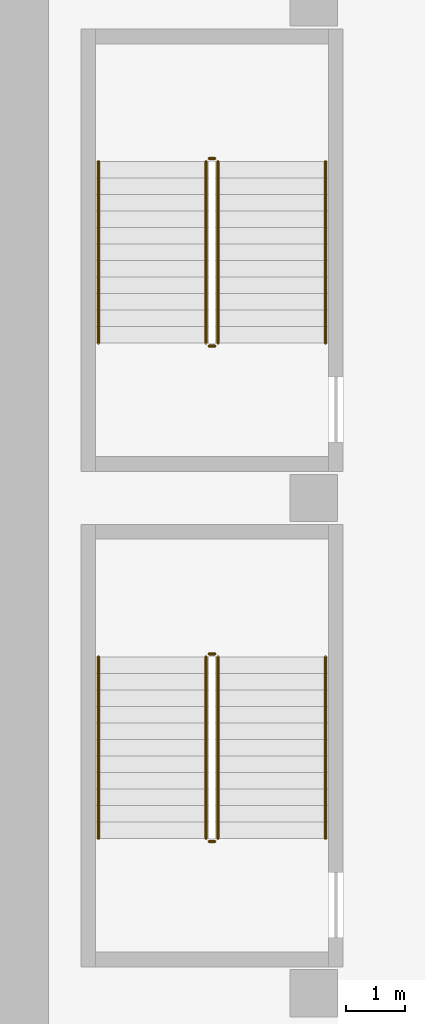
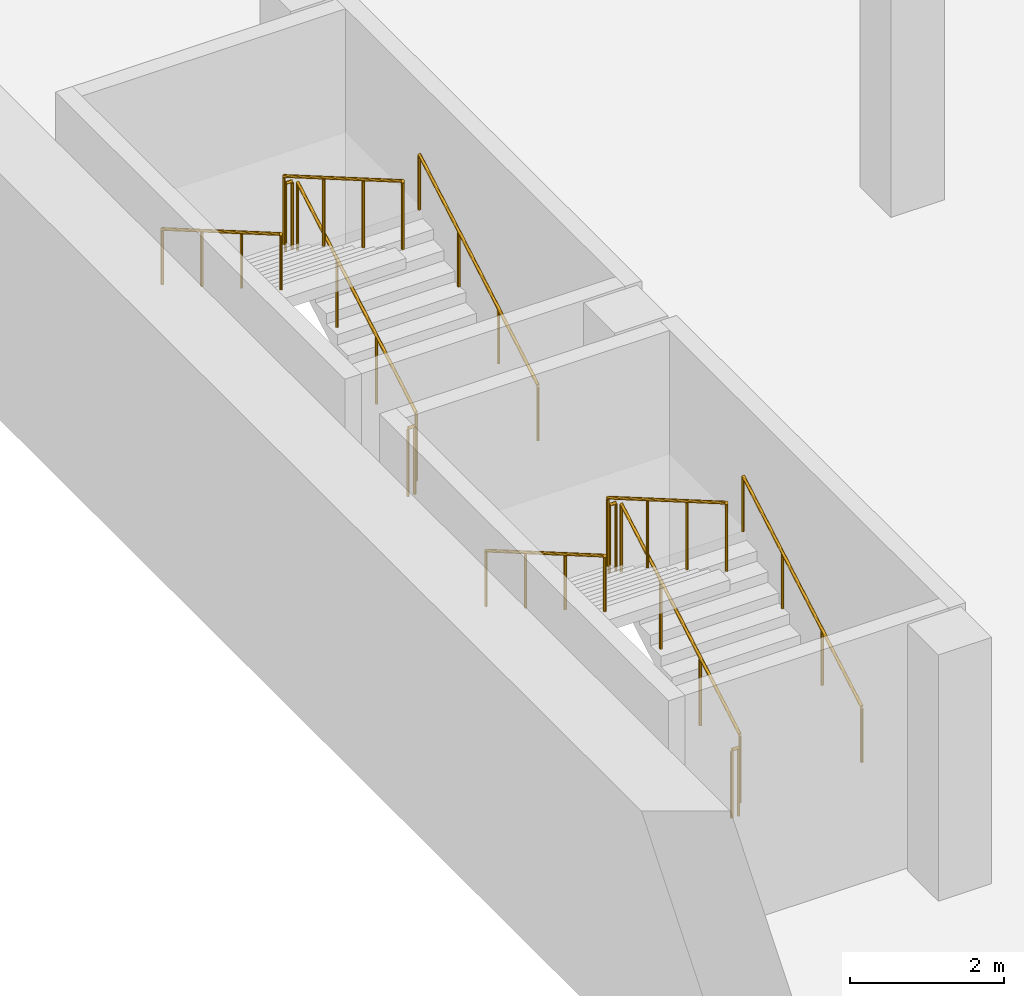
# One storey, part 23 of 25: 12 railings.
"""IFC4 building model written with IfcOpenShell, lengths in metres."""

from ifc_helpers import new_model, si_unit, direction, frame, origin, origin_2d, place, context, subcontext, project, spatial, circle, extrude, material, type_object, element, save


model = new_model("IFC4")

# Units and contexts
model_context = context("Model", 3, precision=1e-05, world=origin(), true_north=direction((0.0, 1.0)))
body_context = subcontext(model_context, "Body", "Model", "MODEL_VIEW")
ifc_project = project(units=[si_unit("LENGTHUNIT", "METRE"), si_unit("AREAUNIT", "SQUARE_METRE"), si_unit("VOLUMEUNIT", "CUBIC_METRE"), si_unit("PLANEANGLEUNIT", "RADIAN"), si_unit("MASSUNIT", "GRAM", prefix="KILO")], contexts=[model_context])

# Site, building, storey
site_placement = place(None, origin())
site = spatial("IfcSite", under=ifc_project, at=site_placement, CompositionType="ELEMENT")
building_placement = place(site_placement, origin())
building = spatial("IfcBuilding", under=site, at=building_placement, Name="Verdalira Terraces Hotel", CompositionType="ELEMENT")
storey_placement = place(building_placement, frame((0.0, 0.0, -7.800049)))
storey = spatial("IfcBuildingStorey", under=building, at=storey_placement, Name="B2", CompositionType="ELEMENT", Elevation=-7.800048828125)

# Railings
ifc_material_1 = material(Name="Stainless steel", Category="steel")
railing_type_1 = type_object("IfcRailingType", Name="Stair guard 1100", PredefinedType="GUARDRAIL", material=ifc_material_1)
railing_1_placement = place(storey_placement, frame((-50.125, 27.824951, 0.162598)))
element("IfcRailing", 1, at=railing_1_placement, inside=storey, type_object=railing_type_1, Name="B2 Basement stair 4 stair guard 1", PredefinedType="GUARDRAIL", context=body_context, shape_type="SweptSolid", body=[
    extrude(circle(Radius=0.023926, at=origin_2d()), frame((0.0, 0.0, 1.076172), z_axis=(0.0, 0.864920483, 0.501908914), x_axis=(-1.0, 0.0, 0.0)), (0.0, 0.0, 1.0), 3.561035),
    extrude(circle(Radius=0.020996, at=origin_2d()), origin(), (0.0, 0.0, 1.0), 1.052002),
    extrude(circle(Radius=0.020996, at=origin_2d()), frame((0.0, 1.026611, 0.595703)), (0.0, 0.0, 1.0), 1.052002),
    extrude(circle(Radius=0.020996, at=origin_2d()), frame((0.0, 2.053467, 1.19165)), (0.0, 0.0, 1.0), 1.052002),
    extrude(circle(Radius=0.020996, at=origin_2d()), frame((0.0, 3.080078, 1.787354)), (0.0, 0.0, 1.0), 1.052002),
])
railing_2_placement = place(storey_placement, frame((-50.175049, 30.955078, 1.949951)))
element("IfcRailing", 2, at=railing_2_placement, inside=storey, type_object=railing_type_1, Name="B2 Basement stair 4 stair guard 2", PredefinedType="GUARDRAIL", context=body_context, shape_type="SweptSolid", body=[
    extrude(circle(Radius=0.023926, at=origin_2d()), frame((0.0, 0.0, 1.076172), z_axis=(-1.0, 0.0, 0.0), x_axis=(0.0, -1.0, 0.0)), (0.0, 0.0, 1.0), 0.099854),
    extrude(circle(Radius=0.020996, at=origin_2d()), origin(), (0.0, 0.0, 1.0), 1.052002),
    extrude(circle(Radius=0.020996, at=origin_2d()), frame((-0.099854, 0.0, 0.0)), (0.0, 0.0, 1.0), 1.052002),
])
railing_3_placement = place(storey_placement, frame((-50.324951, 30.905029, 2.112549)))
element("IfcRailing", 3, at=railing_3_placement, inside=storey, type_object=railing_type_1, Name="B2 Basement stair 4 stair guard 3", PredefinedType="GUARDRAIL", context=body_context, shape_type="SweptSolid", body=[
    extrude(circle(Radius=0.023926, at=origin_2d()), frame((0.0, 0.0, 1.076172), z_axis=(0.0, -0.864890721, 0.501960198), x_axis=(1.0, 0.0, 0.0)), (0.0, 0.0, 1.0), 3.561279),
    extrude(circle(Radius=0.020996, at=origin_2d()), origin(), (0.0, 0.0, 1.0), 1.052002),
    extrude(circle(Radius=0.020996, at=origin_2d()), frame((0.0, -1.026611, 0.595947)), (0.0, 0.0, 1.0), 1.052002),
    extrude(circle(Radius=0.020996, at=origin_2d()), frame((0.0, -2.053467, 1.19165)), (0.0, 0.0, 1.0), 1.052002),
    extrude(circle(Radius=0.020996, at=origin_2d()), frame((0.0, -3.080078, 1.787598)), (0.0, 0.0, 1.0), 1.052002),
])
railing_4_placement = place(storey_placement, frame((-50.175049, 27.774902, 0.0)))
element("IfcRailing", 4, at=railing_4_placement, inside=storey, type_object=railing_type_1, Name="B2 Basement stair 4 stair guard 4", PredefinedType="GUARDRAIL", context=body_context, shape_type="SweptSolid", body=[
    extrude(circle(Radius=0.023926, at=origin_2d()), frame((0.0, 0.0, 1.076172), z_axis=(-1.0, 0.0, 0.0), x_axis=(0.0, -1.0, 0.0)), (0.0, 0.0, 1.0), 0.099854),
    extrude(circle(Radius=0.020996, at=origin_2d()), origin(), (0.0, 0.0, 1.0), 1.052002),
    extrude(circle(Radius=0.020996, at=origin_2d()), frame((-0.099854, 0.0, 0.0)), (0.0, 0.0, 1.0), 1.052002),
])
railing_5_placement = place(storey_placement, frame((-50.125, 19.425049, 0.162598)))
element("IfcRailing", 5, at=railing_5_placement, inside=storey, type_object=railing_type_1, Name="B2 Basement stair 7 stair guard 1", PredefinedType="GUARDRAIL", context=body_context, shape_type="SweptSolid", body=[
    extrude(circle(Radius=0.023926, at=origin_2d()), frame((0.0, 0.0, 1.076172), z_axis=(0.0, 0.864903211, 0.501938677), x_axis=(-1.0, 0.0, 0.0)), (0.0, 0.0, 1.0), 3.560791),
    extrude(circle(Radius=0.020996, at=origin_2d()), origin(), (0.0, 0.0, 1.0), 1.052002),
    extrude(circle(Radius=0.020996, at=origin_2d()), frame((0.0, 1.026611, 0.595703)), (0.0, 0.0, 1.0), 1.052002),
    extrude(circle(Radius=0.020996, at=origin_2d()), frame((0.0, 2.053223, 1.19165)), (0.0, 0.0, 1.0), 1.052002),
    extrude(circle(Radius=0.020996, at=origin_2d()), frame((0.0, 3.079834, 1.787354)), (0.0, 0.0, 1.0), 1.052002),
])
railing_6_placement = place(storey_placement, frame((-50.175049, 22.554932, 1.949951)))
element("IfcRailing", 6, at=railing_6_placement, inside=storey, type_object=railing_type_1, Name="B2 Basement stair 7 stair guard 2", PredefinedType="GUARDRAIL", context=body_context, shape_type="SweptSolid", body=[
    extrude(circle(Radius=0.023926, at=origin_2d()), frame((0.0, 0.0, 1.076172), z_axis=(-1.0, 0.0, 0.0), x_axis=(0.0, -1.0, 0.0)), (0.0, 0.0, 1.0), 0.099854),
    extrude(circle(Radius=0.020996, at=origin_2d()), origin(), (0.0, 0.0, 1.0), 1.052002),
    extrude(circle(Radius=0.020996, at=origin_2d()), frame((-0.099854, 0.0, 0.0)), (0.0, 0.0, 1.0), 1.052002),
])
railing_7_placement = place(storey_placement, frame((-50.324951, 22.504883, 2.112549)))
element("IfcRailing", 7, at=railing_7_placement, inside=storey, type_object=railing_type_1, Name="B2 Basement stair 7 stair guard 3", PredefinedType="GUARDRAIL", context=body_context, shape_type="SweptSolid", body=[
    extrude(circle(Radius=0.023926, at=origin_2d()), frame((0.0, 0.0, 1.076172), z_axis=(0.0, -0.864873446, 0.501989962), x_axis=(1.0, 0.0, 0.0)), (0.0, 0.0, 1.0), 3.561035),
    extrude(circle(Radius=0.020996, at=origin_2d()), origin(), (0.0, 0.0, 1.0), 1.052002),
    extrude(circle(Radius=0.020996, at=origin_2d()), frame((0.0, -1.026611, 0.595947)), (0.0, 0.0, 1.0), 1.052002),
    extrude(circle(Radius=0.020996, at=origin_2d()), frame((0.0, -2.053223, 1.19165)), (0.0, 0.0, 1.0), 1.052002),
    extrude(circle(Radius=0.020996, at=origin_2d()), frame((0.0, -3.079834, 1.787598)), (0.0, 0.0, 1.0), 1.052002),
])
railing_8_placement = place(storey_placement, frame((-50.175049, 19.375, 0.0)))
element("IfcRailing", 8, at=railing_8_placement, inside=storey, type_object=railing_type_1, Name="B2 Basement stair 7 stair guard 4", PredefinedType="GUARDRAIL", context=body_context, shape_type="SweptSolid", body=[
    extrude(circle(Radius=0.023926, at=origin_2d()), frame((0.0, 0.0, 1.076172), z_axis=(-1.0, 0.0, 0.0), x_axis=(0.0, -1.0, 0.0)), (0.0, 0.0, 1.0), 0.099854),
    extrude(circle(Radius=0.020996, at=origin_2d()), origin(), (0.0, 0.0, 1.0), 1.052002),
    extrude(circle(Radius=0.020996, at=origin_2d()), frame((-0.099854, 0.0, 0.0)), (0.0, 0.0, 1.0), 1.052002),
])
ifc_material_2 = material(Name="Stainless steel", Category="steel")
railing_type_2 = type_object("IfcRailingType", Name="Stair handrail 900", PredefinedType="HANDRAIL", material=ifc_material_2)
railing_9_placement = place(storey_placement, frame((-48.300049, 27.824951, 0.162598)))
element("IfcRailing", 9, at=railing_9_placement, inside=storey, type_object=railing_type_2, Name="B2 Basement stair 4 stair handrail 1", PredefinedType="HANDRAIL", context=body_context, shape_type="SweptSolid", body=[
    extrude(circle(Radius=0.023926, at=origin_2d()), frame((0.0, 0.0, 0.875977), z_axis=(0.0, 0.864920483, 0.501908914), x_axis=(-1.0, 0.0, 0.0)), (0.0, 0.0, 1.0), 3.561035),
    extrude(circle(Radius=0.020996, at=origin_2d()), origin(), (0.0, 0.0, 1.0), 0.851807),
    extrude(circle(Radius=0.020996, at=origin_2d()), frame((0.0, 1.026611, 0.595703)), (0.0, 0.0, 1.0), 0.851807),
    extrude(circle(Radius=0.020996, at=origin_2d()), frame((0.0, 2.053467, 1.19165)), (0.0, 0.0, 1.0), 0.851807),
    extrude(circle(Radius=0.020996, at=origin_2d()), frame((0.0, 3.080078, 1.787354)), (0.0, 0.0, 1.0), 0.851807),
])
railing_10_placement = place(storey_placement, frame((-52.149902, 30.905029, 2.112549)))
element("IfcRailing", 10, at=railing_10_placement, inside=storey, type_object=railing_type_2, Name="B2 Basement stair 4 stair handrail 2", PredefinedType="HANDRAIL", context=body_context, shape_type="SweptSolid", body=[
    extrude(circle(Radius=0.023926, at=origin_2d()), frame((0.0, 0.0, 0.875977), z_axis=(0.0, -0.864890721, 0.501960198), x_axis=(1.0, 0.0, 0.0)), (0.0, 0.0, 1.0), 3.561279),
    extrude(circle(Radius=0.020996, at=origin_2d()), origin(), (0.0, 0.0, 1.0), 0.851807),
    extrude(circle(Radius=0.020996, at=origin_2d()), frame((0.0, -1.026611, 0.595947)), (0.0, 0.0, 1.0), 0.851807),
    extrude(circle(Radius=0.020996, at=origin_2d()), frame((0.0, -2.053467, 1.19165)), (0.0, 0.0, 1.0), 0.851807),
    extrude(circle(Radius=0.020996, at=origin_2d()), frame((0.0, -3.080078, 1.787598)), (0.0, 0.0, 1.0), 0.851807),
])
railing_11_placement = place(storey_placement, frame((-48.300049, 19.425049, 0.162598)))
element("IfcRailing", 11, at=railing_11_placement, inside=storey, type_object=railing_type_2, Name="B2 Basement stair 7 stair handrail 1", PredefinedType="HANDRAIL", context=body_context, shape_type="SweptSolid", body=[
    extrude(circle(Radius=0.023926, at=origin_2d()), frame((0.0, 0.0, 0.875977), z_axis=(0.0, 0.864903211, 0.501938677), x_axis=(-1.0, 0.0, 0.0)), (0.0, 0.0, 1.0), 3.560791),
    extrude(circle(Radius=0.020996, at=origin_2d()), origin(), (0.0, 0.0, 1.0), 0.851807),
    extrude(circle(Radius=0.020996, at=origin_2d()), frame((0.0, 1.026611, 0.595703)), (0.0, 0.0, 1.0), 0.851807),
    extrude(circle(Radius=0.020996, at=origin_2d()), frame((0.0, 2.053223, 1.19165)), (0.0, 0.0, 1.0), 0.851807),
    extrude(circle(Radius=0.020996, at=origin_2d()), frame((0.0, 3.079834, 1.787354)), (0.0, 0.0, 1.0), 0.851807),
])
railing_12_placement = place(storey_placement, frame((-52.149902, 22.504883, 2.112549)))
element("IfcRailing", 12, at=railing_12_placement, inside=storey, type_object=railing_type_2, Name="B2 Basement stair 7 stair handrail 2", PredefinedType="HANDRAIL", context=body_context, shape_type="SweptSolid", body=[
    extrude(circle(Radius=0.023926, at=origin_2d()), frame((0.0, 0.0, 0.875977), z_axis=(0.0, -0.864873446, 0.501989962), x_axis=(1.0, 0.0, 0.0)), (0.0, 0.0, 1.0), 3.561035),
    extrude(circle(Radius=0.020996, at=origin_2d()), origin(), (0.0, 0.0, 1.0), 0.851807),
    extrude(circle(Radius=0.020996, at=origin_2d()), frame((0.0, -1.026611, 0.595947)), (0.0, 0.0, 1.0), 0.851807),
    extrude(circle(Radius=0.020996, at=origin_2d()), frame((0.0, -2.053223, 1.19165)), (0.0, 0.0, 1.0), 0.851807),
    extrude(circle(Radius=0.020996, at=origin_2d()), frame((0.0, -3.079834, 1.787598)), (0.0, 0.0, 1.0), 0.851807),
])

save(model, "model.ifc")
